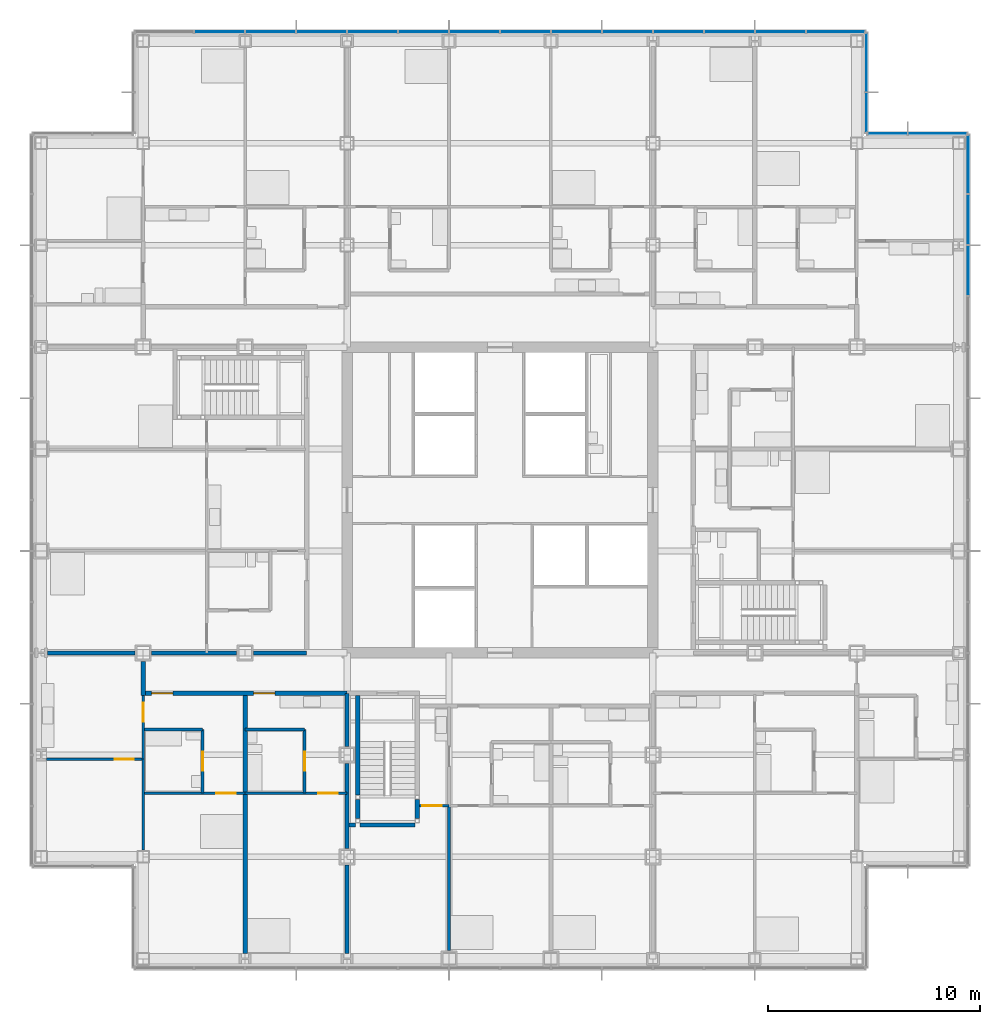
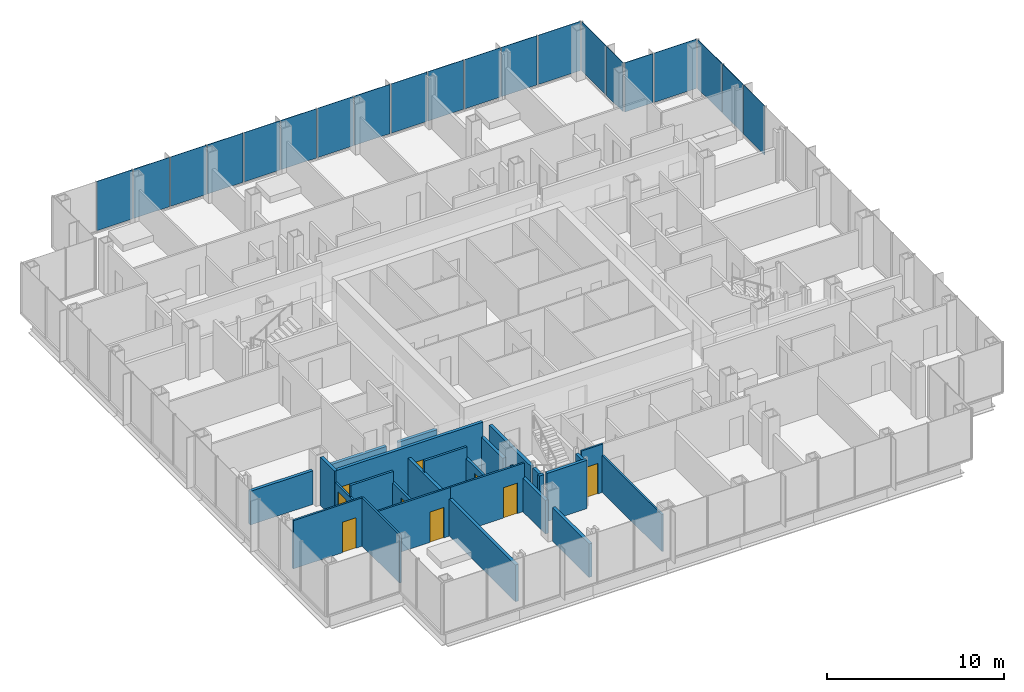
# One storey, part 13 of 21: 25 walls, 20 plates, 9 doors, 9 openings, 4 elements without a shape of their own.
"""IFC4 building model written with IfcOpenShell, lengths in metres."""

from ifc_helpers import new_model, si_unit, direction, frame, frame_2d, origin, origin_2d, place, context, subcontext, project, spatial, rectangle, extrude, material, layer, layer_set, type_object, element, fill, aggregate, save


model = new_model("IFC4")

# Units and contexts
model_context = context("Model", 3, precision=1e-05, world=origin(), true_north=direction((0.0, 1.0)))
body_context = subcontext(model_context, "Body", "Model", "MODEL_VIEW")
ifc_project = project(units=[si_unit("LENGTHUNIT", "METRE"), si_unit("AREAUNIT", "SQUARE_METRE"), si_unit("VOLUMEUNIT", "CUBIC_METRE"), si_unit("PLANEANGLEUNIT", "RADIAN"), si_unit("MASSUNIT", "GRAM", prefix="KILO")], contexts=[model_context])

# Site, building, storey
site_placement = place(None, origin())
site = spatial("IfcSite", under=ifc_project, at=site_placement, CompositionType="ELEMENT")
building_placement = place(site_placement, origin())
building = spatial("IfcBuilding", under=site, at=building_placement, Name="Kvirike Care Tower", CompositionType="ELEMENT")
storey_placement = place(building_placement, frame((0.0, 0.0, 41.0)))
storey = spatial("IfcBuildingStorey", under=building, at=storey_placement, Name="L10", CompositionType="ELEMENT", Elevation=41.0)

# Curtain wall, plates
ifc_material_1 = material(Name="Anodised aluminium stick system", Category="aluminium")
curtain_wall_type = type_object("IfcCurtainWallType", Name="CW-A STICK CURTAIN WALL", PredefinedType="NOTDEFINED", material=ifc_material_1)
curtain_wall_1_placement = place(storey_placement, origin())
curtain_wall_1 = element("IfcCurtainWall", 1, at=curtain_wall_1_placement, inside=storey, type_object=curtain_wall_type, Name="Curtain wall L10 face 7", PredefinedType="NOTDEFINED")
ifc_material_2 = material(Name="Tinted double glazed unit", Category="glass")
ifc_layer_1 = layer(ifc_material_2, 0.031982421875)
ifc_layer_set_1 = layer_set([ifc_layer_1], Name="TINTED VISION PANEL 32")
plate_type = type_object("IfcPlateType", Name="TINTED VISION PANEL 32", PredefinedType="CURTAIN_PANEL", material=ifc_layer_set_1)
plate_1_placement = place(storey_placement, frame((43.64990234375, 46.800048828125, 0.10009765625), z_axis=(0.0, 0.0, 1.0), x_axis=(0.0, 1.0, 0.0)))
plate_1 = element("IfcPlate", 2, at=plate_1_placement, type_object=plate_type, Name="CW-A panel L10 face 7.12", PredefinedType="CURTAIN_PANEL", context=body_context, shape_type="SweptSolid", body=[
    extrude(rectangle(XDim=2.3349609375, YDim=0.031982421875, at=origin_2d()), origin(), (0.0, 0.0, 1.0), 3.39990234375),
])
plate_2_placement = place(storey_placement, frame((43.64990234375, 49.199951171875, 0.10009765625), z_axis=(0.0, 0.0, 1.0), x_axis=(0.0, 1.0, 0.0)))
plate_2 = element("IfcPlate", 3, at=plate_2_placement, type_object=plate_type, Name="CW-A panel L10 face 7.13", PredefinedType="CURTAIN_PANEL", context=body_context, shape_type="SweptSolid", body=[
    extrude(rectangle(XDim=2.3349609375, YDim=0.031982421875, at=origin_2d()), origin(), (0.0, 0.0, 1.0), 3.39990234375),
])
plate_3_placement = place(storey_placement, frame((43.64990234375, 51.808837890625, 0.10009765625), z_axis=(0.0, 0.0, 1.0), x_axis=(0.0, 1.0, 0.0)))
plate_3 = element("IfcPlate", 4, at=plate_3_placement, type_object=plate_type, Name="CW-A panel L10 face 7.14", PredefinedType="CURTAIN_PANEL", context=body_context, shape_type="SweptSolid", body=[
    extrude(rectangle(XDim=2.75244140625, YDim=0.031982421875, at=origin_2d()), origin(), (0.0, 0.0, 1.0), 3.39990234375),
])
aggregate(curtain_wall_1, [plate_1, plate_2, plate_3])

curtain_wall_2_placement = place(storey_placement, origin())
curtain_wall_2 = element("IfcCurtainWall", 5, at=curtain_wall_2_placement, inside=storey, type_object=curtain_wall_type, Name="Curtain wall L10 face 8", PredefinedType="NOTDEFINED")
plate_4_placement = place(storey_placement, frame((42.208740234375, 53.25, 0.10009765625), z_axis=(0.0, 0.0, 1.0), x_axis=(-1.0, 0.0, 0.0)))
plate_4 = element("IfcPlate", 6, at=plate_4_placement, type_object=plate_type, Name="CW-A panel L10 face 8.1", PredefinedType="CURTAIN_PANEL", context=body_context, shape_type="SweptSolid", body=[
    extrude(rectangle(XDim=2.75244140625, YDim=0.031982421875, at=origin_2d()), origin(), (0.0, 0.0, 1.0), 3.39990234375),
])
plate_5_placement = place(storey_placement, frame((39.84130859375, 53.25, 0.10009765625), z_axis=(0.0, 0.0, 1.0), x_axis=(-1.0, 0.0, 0.0)))
plate_5 = element("IfcPlate", 7, at=plate_5_placement, type_object=plate_type, Name="CW-A panel L10 face 8.2", PredefinedType="CURTAIN_PANEL", context=body_context, shape_type="SweptSolid", body=[
    extrude(rectangle(XDim=1.8525390625, YDim=0.031982421875, at=origin_2d()), origin(), (0.0, 0.0, 1.0), 3.39990234375),
])
aggregate(curtain_wall_2, [plate_4, plate_5])

curtain_wall_3_placement = place(storey_placement, origin())
curtain_wall_3 = element("IfcCurtainWall", 8, at=curtain_wall_3_placement, inside=storey, type_object=curtain_wall_type, Name="Curtain wall L10 face 9", PredefinedType="NOTDEFINED")
plate_6_placement = place(storey_placement, frame((38.85009765625, 54.2412109375, 0.10009765625), z_axis=(0.0, 0.0, 1.0), x_axis=(0.0, 1.0, 0.0)))
plate_6 = element("IfcPlate", 9, at=plate_6_placement, type_object=plate_type, Name="CW-A panel L10 face 9.1", PredefinedType="CURTAIN_PANEL", context=body_context, shape_type="SweptSolid", body=[
    extrude(rectangle(XDim=1.8525390625, YDim=0.031982421875, at=origin_2d()), origin(), (0.0, 0.0, 1.0), 3.39990234375),
])
plate_7_placement = place(storey_placement, frame((38.85009765625, 56.608642578125, 0.10009765625), z_axis=(0.0, 0.0, 1.0), x_axis=(0.0, 1.0, 0.0)))
plate_7 = element("IfcPlate", 10, at=plate_7_placement, type_object=plate_type, Name="CW-A panel L10 face 9.2", PredefinedType="CURTAIN_PANEL", context=body_context, shape_type="SweptSolid", body=[
    extrude(rectangle(XDim=2.75244140625, YDim=0.031982421875, at=origin_2d()), origin(), (0.0, 0.0, 1.0), 3.39990234375),
])
aggregate(curtain_wall_3, [plate_6, plate_7])

curtain_wall_4_placement = place(storey_placement, origin())
curtain_wall_4 = element("IfcCurtainWall", 11, at=curtain_wall_4_placement, inside=storey, type_object=curtain_wall_type, Name="Curtain wall L10 face 10", PredefinedType="NOTDEFINED")
plate_8_placement = place(storey_placement, frame((37.40869140625, 58.050048828125, 0.10009765625), z_axis=(0.0, 0.0, 1.0), x_axis=(-1.0, 0.0, 0.0)))
plate_8 = element("IfcPlate", 12, at=plate_8_placement, type_object=plate_type, Name="CW-A panel L10 face 10.1", PredefinedType="CURTAIN_PANEL", context=body_context, shape_type="SweptSolid", body=[
    extrude(rectangle(XDim=2.75244140625, YDim=0.031982421875, at=origin_2d()), origin(), (0.0, 0.0, 1.0), 3.39990234375),
])
plate_9_placement = place(storey_placement, frame((34.800048828125, 58.050048828125, 0.10009765625), z_axis=(0.0, 0.0, 1.0), x_axis=(-1.0, 0.0, 0.0)))
plate_9 = element("IfcPlate", 13, at=plate_9_placement, type_object=plate_type, Name="CW-A panel L10 face 10.2", PredefinedType="CURTAIN_PANEL", context=body_context, shape_type="SweptSolid", body=[
    extrude(rectangle(XDim=2.3349609375, YDim=0.031982421875, at=origin_2d()), origin(), (0.0, 0.0, 1.0), 3.39990234375),
])
plate_10_placement = place(storey_placement, frame((32.39990234375, 58.050048828125, 0.10009765625), z_axis=(0.0, 0.0, 1.0), x_axis=(-1.0, 0.0, 0.0)))
plate_10 = element("IfcPlate", 14, at=plate_10_placement, type_object=plate_type, Name="CW-A panel L10 face 10.3", PredefinedType="CURTAIN_PANEL", context=body_context, shape_type="SweptSolid", body=[
    extrude(rectangle(XDim=2.3349609375, YDim=0.031982421875, at=origin_2d()), origin(), (0.0, 0.0, 1.0), 3.39990234375),
])
plate_11_placement = place(storey_placement, frame((30.0, 58.050048828125, 0.10009765625), z_axis=(0.0, 0.0, 1.0), x_axis=(-1.0, 0.0, 0.0)))
plate_11 = element("IfcPlate", 15, at=plate_11_placement, type_object=plate_type, Name="CW-A panel L10 face 10.4", PredefinedType="CURTAIN_PANEL", context=body_context, shape_type="SweptSolid", body=[
    extrude(rectangle(XDim=2.3349609375, YDim=0.031982421875, at=origin_2d()), origin(), (0.0, 0.0, 1.0), 3.39990234375),
])
plate_12_placement = place(storey_placement, frame((27.60009765625, 58.050048828125, 0.10009765625), z_axis=(0.0, 0.0, 1.0), x_axis=(-1.0, 0.0, 0.0)))
plate_12 = element("IfcPlate", 16, at=plate_12_placement, type_object=plate_type, Name="CW-A panel L10 face 10.5", PredefinedType="CURTAIN_PANEL", context=body_context, shape_type="SweptSolid", body=[
    extrude(rectangle(XDim=2.3349609375, YDim=0.031982421875, at=origin_2d()), origin(), (0.0, 0.0, 1.0), 3.39990234375),
])
plate_13_placement = place(storey_placement, frame((25.199951171875, 58.050048828125, 0.10009765625), z_axis=(0.0, 0.0, 1.0), x_axis=(-1.0, 0.0, 0.0)))
plate_13 = element("IfcPlate", 17, at=plate_13_placement, type_object=plate_type, Name="CW-A panel L10 face 10.6", PredefinedType="CURTAIN_PANEL", context=body_context, shape_type="SweptSolid", body=[
    extrude(rectangle(XDim=2.3349609375, YDim=0.031982421875, at=origin_2d()), origin(), (0.0, 0.0, 1.0), 3.39990234375),
])
plate_14_placement = place(storey_placement, frame((22.800048828125, 58.050048828125, 0.10009765625), z_axis=(0.0, 0.0, 1.0), x_axis=(-1.0, 0.0, 0.0)))
plate_14 = element("IfcPlate", 18, at=plate_14_placement, type_object=plate_type, Name="CW-A panel L10 face 10.7", PredefinedType="CURTAIN_PANEL", context=body_context, shape_type="SweptSolid", body=[
    extrude(rectangle(XDim=2.3349609375, YDim=0.031982421875, at=origin_2d()), origin(), (0.0, 0.0, 1.0), 3.39990234375),
])
plate_15_placement = place(storey_placement, frame((20.39990234375, 58.050048828125, 0.10009765625), z_axis=(0.0, 0.0, 1.0), x_axis=(-1.0, 0.0, 0.0)))
plate_15 = element("IfcPlate", 19, at=plate_15_placement, type_object=plate_type, Name="CW-A panel L10 face 10.8", PredefinedType="CURTAIN_PANEL", context=body_context, shape_type="SweptSolid", body=[
    extrude(rectangle(XDim=2.3349609375, YDim=0.031982421875, at=origin_2d()), origin(), (0.0, 0.0, 1.0), 3.39990234375),
])
plate_16_placement = place(storey_placement, frame((18.0, 58.050048828125, 0.10009765625), z_axis=(0.0, 0.0, 1.0), x_axis=(-1.0, 0.0, 0.0)))
plate_16 = element("IfcPlate", 20, at=plate_16_placement, type_object=plate_type, Name="CW-A panel L10 face 10.9", PredefinedType="CURTAIN_PANEL", context=body_context, shape_type="SweptSolid", body=[
    extrude(rectangle(XDim=2.3349609375, YDim=0.031982421875, at=origin_2d()), origin(), (0.0, 0.0, 1.0), 3.39990234375),
])
plate_17_placement = place(storey_placement, frame((15.60009765625, 58.050048828125, 0.10009765625), z_axis=(0.0, 0.0, 1.0), x_axis=(-1.0, 0.0, 0.0)))
plate_17 = element("IfcPlate", 21, at=plate_17_placement, type_object=plate_type, Name="CW-A panel L10 face 10.10", PredefinedType="CURTAIN_PANEL", context=body_context, shape_type="SweptSolid", body=[
    extrude(rectangle(XDim=2.3349609375, YDim=0.031982421875, at=origin_2d()), origin(), (0.0, 0.0, 1.0), 3.39990234375),
])
plate_18_placement = place(storey_placement, frame((13.199951171875, 58.050048828125, 0.10009765625), z_axis=(0.0, 0.0, 1.0), x_axis=(-1.0, 0.0, 0.0)))
plate_18 = element("IfcPlate", 22, at=plate_18_placement, type_object=plate_type, Name="CW-A panel L10 face 10.11", PredefinedType="CURTAIN_PANEL", context=body_context, shape_type="SweptSolid", body=[
    extrude(rectangle(XDim=2.3349609375, YDim=0.031982421875, at=origin_2d()), origin(), (0.0, 0.0, 1.0), 3.39990234375),
])
plate_19_placement = place(storey_placement, frame((10.800048828125, 58.050048828125, 0.10009765625), z_axis=(0.0, 0.0, 1.0), x_axis=(-1.0, 0.0, 0.0)))
plate_19 = element("IfcPlate", 23, at=plate_19_placement, type_object=plate_type, Name="CW-A panel L10 face 10.12", PredefinedType="CURTAIN_PANEL", context=body_context, shape_type="SweptSolid", body=[
    extrude(rectangle(XDim=2.3349609375, YDim=0.031982421875, at=origin_2d()), origin(), (0.0, 0.0, 1.0), 3.39990234375),
])
plate_20_placement = place(storey_placement, frame((8.39990234375, 58.050048828125, 0.10009765625), z_axis=(0.0, 0.0, 1.0), x_axis=(-1.0, 0.0, 0.0)))
plate_20 = element("IfcPlate", 24, at=plate_20_placement, type_object=plate_type, Name="CW-A panel L10 face 10.13", PredefinedType="CURTAIN_PANEL", context=body_context, shape_type="SweptSolid", body=[
    extrude(rectangle(XDim=2.3349609375, YDim=0.031982421875, at=origin_2d()), origin(), (0.0, 0.0, 1.0), 3.39990234375),
])
aggregate(curtain_wall_4, [plate_8, plate_9, plate_10, plate_11, plate_12, plate_13, plate_14, plate_15, plate_16, plate_17, plate_18, plate_19, plate_20])

# Wall, opening, door
ifc_material_3 = material(Name="Moisture-resistant board partition", Category="gypsum")
ifc_layer_2 = layer(ifc_material_3, 0.14990234375)
ifc_layer_set_2 = layer_set([ifc_layer_2], Name="BATHROOM WALL 150")
wall_type_1 = type_object("IfcWallType", Name="BATHROOM WALL 150", PredefinedType="PARTITIONING", material=ifc_layer_set_2)
wall_1_placement = place(storey_placement, frame((7.60009765625, 22.199951171875, 0.0), z_axis=(0.0, 0.0, 1.0), x_axis=(0.0, 1.0, 0.0)))
wall_1 = element("IfcWall", 25, at=wall_1_placement, inside=storey, type_object=wall_type_1, Name="Bathroom Wall 150 L10", PredefinedType="PARTITIONING", context=body_context, shape_type="SweptSolid", body=[
    extrude(rectangle(XDim=3.0, YDim=0.14990234375, at=frame_2d((1.5, 0.0))), origin(), (0.0, 0.0, 1.0), 2.550048828125),
])
opening_1_placement = place(wall_1_placement, frame((1.050048828125, 0.0, 0.0)))
opening_1 = element("IfcOpeningElement", 26, at=opening_1_placement, cuts=wall_1, Name="Opening 10-001", PredefinedType="OPENING", context=body_context, shape_type="SweptSolid", body=[
    extrude(rectangle(XDim=0.89990234375, YDim=2.10009765625, at=frame_2d((0.449951171875, 1.050048828125))), frame((0.0, 0.08544921875, 0.0), z_axis=(0.0, -1.0, 0.0), x_axis=(1.0, 0.0, 0.0)), (0.0, 0.0, 1.0), 0.1708984375),
])
ifc_material_4 = material(Name="Timber door set", Category="wood")
door_type_1 = type_object("IfcDoorType", Name="BATHROOM DOOR 900", OperationType="SINGLE_SWING_RIGHT", PredefinedType="DOOR", material=ifc_material_4)
door_1_placement = place(opening_1_placement, origin())
door_1 = element("IfcDoor", 27, at=door_1_placement, inside=storey, type_object=door_type_1, Name="Bathroom door", OperationType="SINGLE_SWING_RIGHT", OverallHeight=2.10009765625, OverallWidth=0.89990234375, PredefinedType="DOOR", context=body_context, shape_type="SweptSolid", body=[
    extrude(rectangle(XDim=0.89990234375, YDim=2.10009765625, at=frame_2d((0.449951171875, 1.050048828125))), frame((0.0, 0.02197265625, 0.0), z_axis=(0.0, -1.0, 0.0), x_axis=(1.0, 0.0, 0.0)), (0.0, 0.0, 1.0), 0.0439453125),
])
fill(opening_1, door_1)

# Wall
wall_2_placement = place(storey_placement, frame((4.800048828125, 25.199951171875, 0.0), z_axis=(0.0, 0.0, 1.0), x_axis=(1.0, 0.0, 0.0)))
element("IfcWall", 28, at=wall_2_placement, inside=storey, type_object=wall_type_1, Name="Bathroom Wall 150 L10", PredefinedType="PARTITIONING", context=body_context, shape_type="SweptSolid", body=[
    extrude(rectangle(XDim=2.800048828125, YDim=0.14990234375, at=frame_2d((1.39990234375, 0.0))), origin(), (0.0, 0.0, 1.0), 3.330078125),
])

# Wall, opening, door
wall_3_placement = place(storey_placement, frame((12.39990234375, 22.199951171875, 0.0), z_axis=(0.0, 0.0, 1.0), x_axis=(0.0, 1.0, 0.0)))
wall_3 = element("IfcWall", 29, at=wall_3_placement, inside=storey, type_object=wall_type_1, Name="Bathroom Wall 150 L10", PredefinedType="PARTITIONING", context=body_context, shape_type="SweptSolid", body=[
    extrude(rectangle(XDim=3.0, YDim=0.14990234375, at=frame_2d((1.5, 0.0))), origin(), (0.0, 0.0, 1.0), 2.550048828125),
])
opening_2_placement = place(wall_3_placement, frame((1.050048828125, 0.0, 0.0)))
opening_2 = element("IfcOpeningElement", 30, at=opening_2_placement, cuts=wall_3, Name="Opening 10-005", PredefinedType="OPENING", context=body_context, shape_type="SweptSolid", body=[
    extrude(rectangle(XDim=0.89990234375, YDim=2.10009765625, at=frame_2d((0.449951171875, 1.050048828125))), frame((0.0, 0.08544921875, 0.0), z_axis=(0.0, -1.0, 0.0), x_axis=(1.0, 0.0, 0.0)), (0.0, 0.0, 1.0), 0.1708984375),
])
door_2_placement = place(opening_2_placement, origin())
door_2 = element("IfcDoor", 31, at=door_2_placement, inside=storey, type_object=door_type_1, Name="Bathroom door", OperationType="SINGLE_SWING_RIGHT", OverallHeight=2.10009765625, OverallWidth=0.89990234375, PredefinedType="DOOR", context=body_context, shape_type="SweptSolid", body=[
    extrude(rectangle(XDim=0.89990234375, YDim=2.10009765625, at=frame_2d((0.449951171875, 1.050048828125))), frame((0.0, 0.02197265625, 0.0), z_axis=(0.0, -1.0, 0.0), x_axis=(1.0, 0.0, 0.0)), (0.0, 0.0, 1.0), 0.0439453125),
])
fill(opening_2, door_2)

# Wall
wall_4_placement = place(storey_placement, frame((9.60009765625, 25.199951171875, 0.0), z_axis=(0.0, 0.0, 1.0), x_axis=(1.0, 0.0, 0.0)))
element("IfcWall", 32, at=wall_4_placement, inside=storey, type_object=wall_type_1, Name="Bathroom Wall 150 L10", PredefinedType="PARTITIONING", context=body_context, shape_type="SweptSolid", body=[
    extrude(rectangle(XDim=2.7998046875, YDim=0.14990234375, at=frame_2d((1.39990234375, 0.0))), origin(), (0.0, 0.0, 1.0), 3.330078125),
])

# Wall, openings, doors
ifc_material_5 = material(Name="Plasterboard corridor wall", Category="gypsum")
ifc_layer_3 = layer(ifc_material_5, 0.199951171875)
ifc_layer_set_3 = layer_set([ifc_layer_3], Name="CORRIDOR WALL 200")
wall_type_2 = type_object("IfcWallType", Name="CORRIDOR WALL 200", PredefinedType="PARTITIONING", material=ifc_layer_set_3)
wall_5_placement = place(storey_placement, frame((4.800048828125, 26.89990234375, 0.0), z_axis=(0.0, 0.0, 1.0), x_axis=(1.0, 0.0, 0.0)))
wall_5 = element("IfcWall", 33, at=wall_5_placement, inside=storey, type_object=wall_type_2, Name="Corridor Wall 200 L10", PredefinedType="PARTITIONING", context=body_context, shape_type="SweptSolid", body=[
    extrude(rectangle(XDim=9.599853515625, YDim=0.199951171875, at=frame_2d((4.7998046875, 0.0))), origin(), (0.0, 0.0, 1.0), 3.330078125),
])
opening_3_placement = place(wall_5_placement, frame((0.39990234375, 0.0, 0.0)))
opening_3 = element("IfcOpeningElement", 34, at=opening_3_placement, cuts=wall_5, Name="Opening 10-007", PredefinedType="OPENING", context=body_context, shape_type="SweptSolid", body=[
    extrude(rectangle(XDim=1.0, YDim=2.10009765625, at=frame_2d((0.5, 1.050048828125))), frame((0.0, 0.110595703125, 0.0), z_axis=(0.0, -1.0, 0.0), x_axis=(1.0, 0.0, 0.0)), (0.0, 0.0, 1.0), 0.220947265625),
])
opening_4_placement = place(wall_5_placement, frame((5.199951171875, 0.0, 0.0)))
opening_4 = element("IfcOpeningElement", 35, at=opening_4_placement, cuts=wall_5, Name="Opening 10-008", PredefinedType="OPENING", context=body_context, shape_type="SweptSolid", body=[
    extrude(rectangle(XDim=1.0, YDim=2.10009765625, at=frame_2d((0.5, 1.050048828125))), frame((0.0, 0.110595703125, 0.0), z_axis=(0.0, -1.0, 0.0), x_axis=(1.0, 0.0, 0.0)), (0.0, 0.0, 1.0), 0.220947265625),
])
ifc_material_6 = material(Name="Timber door set", Category="wood")
door_type_2 = type_object("IfcDoorType", Name="FLAT ENTRANCE DOOR 1000", OperationType="SINGLE_SWING_LEFT", PredefinedType="DOOR", material=ifc_material_6)
door_3_placement = place(opening_3_placement, frame((1.0, 0.0, 0.0), z_axis=(0.0, 0.0, 1.0), x_axis=(-1.0, 0.0, 0.0)))
door_3 = element("IfcDoor", 36, at=door_3_placement, inside=storey, type_object=door_type_2, Name="One-bedroom apartment entrance", OperationType="SINGLE_SWING_LEFT", OverallHeight=2.10009765625, OverallWidth=1.0, PredefinedType="DOOR", context=body_context, shape_type="SweptSolid", body=[
    extrude(rectangle(XDim=1.0, YDim=2.10009765625, at=frame_2d((0.5, 1.050048828125))), frame((0.0, 0.02685546875, 0.0), z_axis=(0.0, -1.0, 0.0), x_axis=(1.0, 0.0, 0.0)), (0.0, 0.0, 1.0), 0.053955078125),
])
fill(opening_3, door_3)
door_4_placement = place(opening_4_placement, frame((1.0, 0.0, 0.0), z_axis=(0.0, 0.0, 1.0), x_axis=(-1.0, 0.0, 0.0)))
door_4 = element("IfcDoor", 37, at=door_4_placement, inside=storey, type_object=door_type_2, Name="Studio apartment entrance", OperationType="SINGLE_SWING_RIGHT", OverallHeight=2.10009765625, OverallWidth=1.0, PredefinedType="DOOR", context=body_context, shape_type="SweptSolid", body=[
    extrude(rectangle(XDim=1.0, YDim=2.10009765625, at=frame_2d((0.5, 1.050048828125))), frame((0.0, 0.02685546875, 0.0), z_axis=(0.0, -1.0, 0.0), x_axis=(1.0, 0.0, 0.0)), (0.0, 0.0, 1.0), 0.053955078125),
])
fill(opening_4, door_4)

# Wall
wall_6_placement = place(storey_placement, frame((4.800048828125, 26.800048828125, 0.0), z_axis=(0.0, 0.0, 1.0), x_axis=(0.0, 1.0, 0.0)))
element("IfcWall", 38, at=wall_6_placement, inside=storey, type_object=wall_type_2, Name="Corridor Wall 200 L10", PredefinedType="PARTITIONING", context=body_context, shape_type="SweptSolid", body=[
    extrude(rectangle(XDim=1.60498046875, YDim=0.199951171875, at=frame_2d((0.802490234375, 0.0))), origin(), (0.0, 0.0, 1.0), 3.330078125),
])

# Wall, opening, door
ifc_material_7 = material(Name="Plasterboard partition", Category="gypsum")
ifc_layer_4 = layer(ifc_material_7, 0.1201171875)
ifc_layer_set_4 = layer_set([ifc_layer_4], Name="PARTITION 120")
wall_type_3 = type_object("IfcWallType", Name="PARTITION 120", PredefinedType="PARTITIONING", material=ifc_layer_set_4)
wall_7_placement = place(storey_placement, frame((4.800048828125, 23.800048828125, 0.0), z_axis=(0.0, 0.0, 1.0), x_axis=(0.0, 1.0, 0.0)))
wall_7 = element("IfcWall", 39, at=wall_7_placement, inside=storey, type_object=wall_type_3, Name="Partition 120 L10", PredefinedType="PARTITIONING", context=body_context, shape_type="SweptSolid", body=[
    extrude(rectangle(XDim=3.0, YDim=0.1201171875, at=frame_2d((1.5, 0.0))), origin(), (0.0, 0.0, 1.0), 2.550048828125),
])
opening_5_placement = place(wall_7_placement, frame((1.75, 0.0, 0.0)))
opening_5 = element("IfcOpeningElement", 40, at=opening_5_placement, cuts=wall_7, Name="Opening 10-002", PredefinedType="OPENING", context=body_context, shape_type="SweptSolid", body=[
    extrude(rectangle(XDim=0.89990234375, YDim=2.10009765625, at=frame_2d((0.449951171875, 1.050048828125))), frame((0.0, 0.070556640625, 0.0), z_axis=(0.0, -1.0, 0.0), x_axis=(1.0, 0.0, 0.0)), (0.0, 0.0, 1.0), 0.14111328125),
])
ifc_material_8 = material(Name="Timber door set", Category="wood")
door_type_3 = type_object("IfcDoorType", Name="INTERNAL DOOR 900", OperationType="SINGLE_SWING_LEFT", PredefinedType="DOOR", material=ifc_material_8)
door_5_placement = place(opening_5_placement, origin())
door_5 = element("IfcDoor", 41, at=door_5_placement, inside=storey, type_object=door_type_3, Name="Hall door", OperationType="SINGLE_SWING_RIGHT", OverallHeight=2.10009765625, OverallWidth=0.89990234375, PredefinedType="DOOR", context=body_context, shape_type="SweptSolid", body=[
    extrude(rectangle(XDim=0.89990234375, YDim=2.10009765625, at=frame_2d((0.449951171875, 1.050048828125))), frame((0.0, 0.02197265625, 0.0), z_axis=(0.0, -1.0, 0.0), x_axis=(1.0, 0.0, 0.0)), (0.0, 0.0, 1.0), 0.0439453125),
])
fill(opening_5, door_5)

wall_8_placement = place(storey_placement, frame((0.2470703125, 23.800048828125, 0.0), z_axis=(0.0, 0.0, 1.0), x_axis=(1.0, 0.0, 0.0)))
wall_8 = element("IfcWall", 42, at=wall_8_placement, inside=storey, type_object=wall_type_3, Name="Partition 120 L10", PredefinedType="PARTITIONING", context=body_context, shape_type="SweptSolid", body=[
    extrude(rectangle(XDim=4.552978515625, YDim=0.1201171875, at=frame_2d((2.2763671875, 0.0))), origin(), (0.0, 0.0, 1.0), 3.330078125),
])
opening_6_placement = place(wall_8_placement, frame((3.202880859375, 0.0, 0.0)))
opening_6 = element("IfcOpeningElement", 43, at=opening_6_placement, cuts=wall_8, Name="Opening 10-003", PredefinedType="OPENING", context=body_context, shape_type="SweptSolid", body=[
    extrude(rectangle(XDim=0.89990234375, YDim=2.10009765625, at=frame_2d((0.449951171875, 1.050048828125))), frame((0.0, 0.070556640625, 0.0), z_axis=(0.0, -1.0, 0.0), x_axis=(1.0, 0.0, 0.0)), (0.0, 0.0, 1.0), 0.14111328125),
])
door_6_placement = place(opening_6_placement, frame((0.89990234375, 0.0, 0.0), z_axis=(0.0, 0.0, 1.0), x_axis=(-1.0, 0.0, 0.0)))
door_6 = element("IfcDoor", 44, at=door_6_placement, inside=storey, type_object=door_type_3, Name="Apartment living room door", OperationType="SINGLE_SWING_RIGHT", OverallHeight=2.10009765625, OverallWidth=0.89990234375, PredefinedType="DOOR", context=body_context, shape_type="SweptSolid", body=[
    extrude(rectangle(XDim=0.89990234375, YDim=2.10009765625, at=frame_2d((0.449951171875, 1.050048828125))), frame((0.0, 0.02197265625, 0.0), z_axis=(0.0, -1.0, 0.0), x_axis=(1.0, 0.0, 0.0)), (0.0, 0.0, 1.0), 0.0439453125),
])
fill(opening_6, door_6)

wall_9_placement = place(storey_placement, frame((4.800048828125, 22.199951171875, 0.0), z_axis=(0.0, 0.0, 1.0), x_axis=(1.0, 0.0, 0.0)))
wall_9 = element("IfcWall", 45, at=wall_9_placement, inside=storey, type_object=wall_type_3, Name="Partition 120 L10", PredefinedType="PARTITIONING", context=body_context, shape_type="SweptSolid", body=[
    extrude(rectangle(XDim=4.800048828125, YDim=0.1201171875, at=frame_2d((2.39990234375, 0.0))), origin(), (0.0, 0.0, 1.0), 3.330078125),
])
opening_7_placement = place(wall_9_placement, frame((3.449951171875, 0.0, 0.0)))
opening_7 = element("IfcOpeningElement", 46, at=opening_7_placement, cuts=wall_9, Name="Opening 10-004", PredefinedType="OPENING", context=body_context, shape_type="SweptSolid", body=[
    extrude(rectangle(XDim=0.89990234375, YDim=2.10009765625, at=frame_2d((0.449951171875, 1.050048828125))), frame((0.0, 0.070556640625, 0.0), z_axis=(0.0, -1.0, 0.0), x_axis=(1.0, 0.0, 0.0)), (0.0, 0.0, 1.0), 0.14111328125),
])
door_7_placement = place(opening_7_placement, origin())
door_7 = element("IfcDoor", 47, at=door_7_placement, inside=storey, type_object=door_type_3, Name="Apartment bedroom door", OperationType="SINGLE_SWING_LEFT", OverallHeight=2.10009765625, OverallWidth=0.89990234375, PredefinedType="DOOR", context=body_context, shape_type="SweptSolid", body=[
    extrude(rectangle(XDim=0.89990234375, YDim=2.10009765625, at=frame_2d((0.449951171875, 1.050048828125))), frame((0.0, 0.02197265625, 0.0), z_axis=(0.0, -1.0, 0.0), x_axis=(1.0, 0.0, 0.0)), (0.0, 0.0, 1.0), 0.0439453125),
])
fill(opening_7, door_7)

# Wall
wall_10_placement = place(storey_placement, frame((4.800048828125, 19.52001953125, 0.0), z_axis=(0.0, 0.0, 1.0), x_axis=(0.0, 1.0, 0.0)))
element("IfcWall", 48, at=wall_10_placement, inside=storey, type_object=wall_type_3, Name="Partition 120 L10", PredefinedType="PARTITIONING", context=body_context, shape_type="SweptSolid", body=[
    extrude(rectangle(XDim=4.280029296875, YDim=0.1201171875, at=frame_2d((2.14013671875, 0.0))), origin(), (0.0, 0.0, 1.0), 3.330078125),
])

# Wall, opening, door
wall_11_placement = place(storey_placement, frame((9.60009765625, 22.199951171875, 0.0), z_axis=(0.0, 0.0, 1.0), x_axis=(1.0, 0.0, 0.0)))
wall_11 = element("IfcWall", 49, at=wall_11_placement, inside=storey, type_object=wall_type_3, Name="Partition 120 L10", PredefinedType="PARTITIONING", context=body_context, shape_type="SweptSolid", body=[
    extrude(rectangle(XDim=4.7998046875, YDim=0.1201171875, at=frame_2d((2.39990234375, 0.0))), origin(), (0.0, 0.0, 1.0), 3.330078125),
])
opening_8_placement = place(wall_11_placement, frame((3.449951171875, 0.0, 0.0)))
opening_8 = element("IfcOpeningElement", 50, at=opening_8_placement, cuts=wall_11, Name="Opening 10-006", PredefinedType="OPENING", context=body_context, shape_type="SweptSolid", body=[
    extrude(rectangle(XDim=0.89990234375, YDim=2.10009765625, at=frame_2d((0.449951171875, 1.050048828125))), frame((0.0, 0.070556640625, 0.0), z_axis=(0.0, -1.0, 0.0), x_axis=(1.0, 0.0, 0.0)), (0.0, 0.0, 1.0), 0.14111328125),
])
door_8_placement = place(opening_8_placement, origin())
door_8 = element("IfcDoor", 51, at=door_8_placement, inside=storey, type_object=door_type_3, Name="Studio apartment living room door", OperationType="SINGLE_SWING_LEFT", OverallHeight=2.10009765625, OverallWidth=0.89990234375, PredefinedType="DOOR", context=body_context, shape_type="SweptSolid", body=[
    extrude(rectangle(XDim=0.89990234375, YDim=2.10009765625, at=frame_2d((0.449951171875, 1.050048828125))), frame((0.0, 0.02197265625, 0.0), z_axis=(0.0, -1.0, 0.0), x_axis=(1.0, 0.0, 0.0)), (0.0, 0.0, 1.0), 0.0439453125),
])
fill(opening_8, door_8)

wall_12_placement = place(storey_placement, frame((17.800048828125, 21.60009765625, 0.0), z_axis=(0.0, 0.0, 1.0), x_axis=(1.0, 0.0, 0.0)))
wall_12 = element("IfcWall", 52, at=wall_12_placement, inside=storey, type_object=wall_type_3, Name="Partition 120 L10", PredefinedType="PARTITIONING", context=body_context, shape_type="SweptSolid", body=[
    extrude(rectangle(XDim=1.39990234375, YDim=0.1201171875, at=frame_2d((0.699951171875, 0.0))), origin(), (0.0, 0.0, 1.0), 3.330078125),
])
opening_9_placement = place(wall_12_placement, frame((0.14990234375, 0.0, 0.0)))
opening_9 = element("IfcOpeningElement", 53, at=opening_9_placement, cuts=wall_12, Name="Opening 10-027", PredefinedType="OPENING", context=body_context, shape_type="SweptSolid", body=[
    extrude(rectangle(XDim=0.89990234375, YDim=2.10009765625, at=frame_2d((0.449951171875, 1.050048828125))), frame((0.0, 0.070556640625, 0.0), z_axis=(0.0, -1.0, 0.0), x_axis=(1.0, 0.0, 0.0)), (0.0, 0.0, 1.0), 0.14111328125),
])
door_9_placement = place(opening_9_placement, origin())
door_9 = element("IfcDoor", 54, at=door_9_placement, inside=storey, type_object=door_type_3, Name="Apartment living room door", OperationType="SINGLE_SWING_RIGHT", OverallHeight=2.10009765625, OverallWidth=0.89990234375, PredefinedType="DOOR", context=body_context, shape_type="SweptSolid", body=[
    extrude(rectangle(XDim=0.89990234375, YDim=2.10009765625, at=frame_2d((0.449951171875, 1.050048828125))), frame((0.0, 0.02197265625, 0.0), z_axis=(0.0, -1.0, 0.0), x_axis=(1.0, 0.0, 0.0)), (0.0, 0.0, 1.0), 0.0439453125),
])
fill(opening_9, door_9)

# Walls
wall_13_placement = place(storey_placement, frame((19.199951171875, 14.794921875, 0.0), z_axis=(0.0, 0.0, 1.0), x_axis=(0.0, 1.0, 0.0)))
element("IfcWall", 55, at=wall_13_placement, inside=storey, type_object=wall_type_3, Name="Partition 120 L10", PredefinedType="PARTITIONING", context=body_context, shape_type="SweptSolid", body=[
    extrude(rectangle(XDim=6.80517578125, YDim=0.1201171875, at=frame_2d((3.402587890625, 0.0))), origin(), (0.0, 0.0, 1.0), 2.550048828125),
])
ifc_material_9 = material(Name="Plasterboard party wall", Category="gypsum")
ifc_layer_5 = layer(ifc_material_9, 0.199951171875)
ifc_layer_set_5 = layer_set([ifc_layer_5], Name="PARTY WALL 200")
wall_type_4 = type_object("IfcWallType", Name="PARTY WALL 200", PredefinedType="PARTITIONING", material=ifc_layer_set_5)
wall_14_placement = place(storey_placement, frame((9.60009765625, 14.64697265625, 0.0), z_axis=(0.0, 0.0, 1.0), x_axis=(0.0, 1.0, 0.0)))
element("IfcWall", 56, at=wall_14_placement, inside=storey, type_object=wall_type_4, Name="Party Wall 200 L10", PredefinedType="PARTITIONING", context=body_context, shape_type="SweptSolid", body=[
    extrude(rectangle(XDim=12.153076171875, YDim=0.199951171875, at=frame_2d((6.07666015625, 0.0))), origin(), (0.0, 0.0, 1.0), 2.550048828125),
])
wall_15_placement = place(storey_placement, frame((12.5, 28.800048828125, 0.0), z_axis=(0.0, 0.0, 1.0), x_axis=(-1.0, 0.0, 0.0)))
element("IfcWall", 57, at=wall_15_placement, inside=storey, type_object=wall_type_4, Name="Party Wall 200 L10", PredefinedType="PARTITIONING", context=body_context, shape_type="SweptSolid", body=[
    extrude(rectangle(XDim=2.5048828125, YDim=0.199951171875, at=frame_2d((1.25244140625, 0.0))), origin(), (0.0, 0.0, 1.0), 2.320068359375),
])
wall_16_placement = place(storey_placement, frame((9.205078125, 28.800048828125, 0.0), z_axis=(0.0, 0.0, 1.0), x_axis=(-1.0, 0.0, 0.0)))
element("IfcWall", 58, at=wall_16_placement, inside=storey, type_object=wall_type_4, Name="Party Wall 200 L10", PredefinedType="PARTITIONING", context=body_context, shape_type="SweptSolid", body=[
    extrude(rectangle(XDim=4.010009765625, YDim=0.199951171875, at=frame_2d((2.0048828125, 0.0))), origin(), (0.0, 0.0, 1.0), 2.320068359375),
])
wall_17_placement = place(storey_placement, frame((4.405029296875, 28.800048828125, 0.0), z_axis=(0.0, 0.0, 1.0), x_axis=(-1.0, 0.0, 0.0)))
element("IfcWall", 59, at=wall_17_placement, inside=storey, type_object=wall_type_4, Name="Party Wall 200 L10", PredefinedType="PARTITIONING", context=body_context, shape_type="SweptSolid", body=[
    extrude(rectangle(XDim=4.1005859375, YDim=0.199951171875, at=frame_2d((2.05029296875, 0.0))), origin(), (0.0, 0.0, 1.0), 2.320068359375),
])
wall_18_placement = place(storey_placement, frame((14.39990234375, 14.64697265625, 0.0), z_axis=(0.0, 0.0, 1.0), x_axis=(0.0, 1.0, 0.0)))
element("IfcWall", 60, at=wall_18_placement, inside=storey, type_object=wall_type_4, Name="Party Wall 200 L10", PredefinedType="PARTITIONING", context=body_context, shape_type="SweptSolid", body=[
    extrude(rectangle(XDim=4.157958984375, YDim=0.199951171875, at=frame_2d((2.0791015625, 0.0))), origin(), (0.0, 0.0, 1.0), 2.320068359375),
])
wall_19_placement = place(storey_placement, frame((14.39990234375, 19.594970703125, 0.0), z_axis=(0.0, 0.0, 1.0), x_axis=(0.0, 1.0, 0.0)))
element("IfcWall", 61, at=wall_19_placement, inside=storey, type_object=wall_type_4, Name="Party Wall 200 L10", PredefinedType="PARTITIONING", context=body_context, shape_type="SweptSolid", body=[
    extrude(rectangle(XDim=4.010009765625, YDim=0.199951171875, at=frame_2d((2.0048828125, 0.0))), origin(), (0.0, 0.0, 1.0), 2.320068359375),
])
wall_20_placement = place(storey_placement, frame((14.39990234375, 24.39501953125, 0.0), z_axis=(0.0, 0.0, 1.0), x_axis=(0.0, 1.0, 0.0)))
element("IfcWall", 62, at=wall_20_placement, inside=storey, type_object=wall_type_4, Name="Party Wall 200 L10", PredefinedType="PARTITIONING", context=body_context, shape_type="SweptSolid", body=[
    extrude(rectangle(XDim=2.5048828125, YDim=0.199951171875, at=frame_2d((1.25244140625, 0.0))), origin(), (0.0, 0.0, 1.0), 2.320068359375),
])
ifc_material_10 = material(Name="Concrete C40/50", Category="concrete")
ifc_layer_6 = layer(ifc_material_10, 0.199951171875)
ifc_layer_set_6 = layer_set([ifc_layer_6], Name="STAIR WALL 200")
wall_type_5 = type_object("IfcWallType", Name="STAIR WALL 200", PredefinedType="SOLIDWALL", material=ifc_layer_set_6)
wall_21_placement = place(storey_placement, frame((14.89990234375, 21.0, 0.0), z_axis=(0.0, 0.0, 1.0), x_axis=(0.0, 1.0, 0.0)))
element("IfcWall", 63, at=wall_21_placement, inside=storey, type_object=wall_type_5, Name="Stair Wall 200 L10", PredefinedType="SOLIDWALL", context=body_context, shape_type="SweptSolid", body=[
    extrude(rectangle(XDim=0.89990234375, YDim=0.199951171875, at=frame_2d((0.449951171875, 0.0))), origin(), (0.0, 0.0, 1.0), 2.989990234375),
])
wall_22_placement = place(storey_placement, frame((14.89990234375, 22.10009765625, 0.0), z_axis=(0.0, 0.0, 1.0), x_axis=(0.0, 1.0, 0.0)))
element("IfcWall", 64, at=wall_22_placement, inside=storey, type_object=wall_type_5, Name="Stair Wall 200 L10", PredefinedType="SOLIDWALL", context=body_context, shape_type="SweptSolid", body=[
    extrude(rectangle(XDim=4.699951171875, YDim=0.199951171875, at=frame_2d((2.35009765625, 0.0))), origin(), (0.0, 0.0, 1.0), 2.989990234375),
])
wall_23_placement = place(storey_placement, frame((17.699951171875, 21.0, 0.0), z_axis=(0.0, 0.0, 1.0), x_axis=(0.0, 1.0, 0.0)))
element("IfcWall", 65, at=wall_23_placement, inside=storey, type_object=wall_type_5, Name="Stair Wall 200 L10", PredefinedType="SOLIDWALL", context=body_context, shape_type="SweptSolid", body=[
    extrude(rectangle(XDim=0.89990234375, YDim=0.199951171875, at=frame_2d((0.449951171875, 0.0))), origin(), (0.0, 0.0, 1.0), 2.989990234375),
])
wall_24_placement = place(storey_placement, frame((14.5, 20.699951171875, 0.0), z_axis=(0.0, 0.0, 1.0), x_axis=(1.0, 0.0, 0.0)))
element("IfcWall", 66, at=wall_24_placement, inside=storey, type_object=wall_type_5, Name="Stair Wall 200 L10", PredefinedType="SOLIDWALL", context=body_context, shape_type="SweptSolid", body=[
    extrude(rectangle(XDim=0.300048828125, YDim=0.199951171875, at=frame_2d((0.14990234375, 0.0))), origin(), (0.0, 0.0, 1.0), 3.330078125),
])
wall_25_placement = place(storey_placement, frame((15.0, 20.699951171875, 0.0), z_axis=(0.0, 0.0, 1.0), x_axis=(1.0, 0.0, 0.0)))
element("IfcWall", 67, at=wall_25_placement, inside=storey, type_object=wall_type_5, Name="Stair Wall 200 L10", PredefinedType="SOLIDWALL", context=body_context, shape_type="SweptSolid", body=[
    extrude(rectangle(XDim=2.60009765625, YDim=0.199951171875, at=frame_2d((1.300048828125, 0.0))), origin(), (0.0, 0.0, 1.0), 3.330078125),
])

save(model, "model.ifc")
